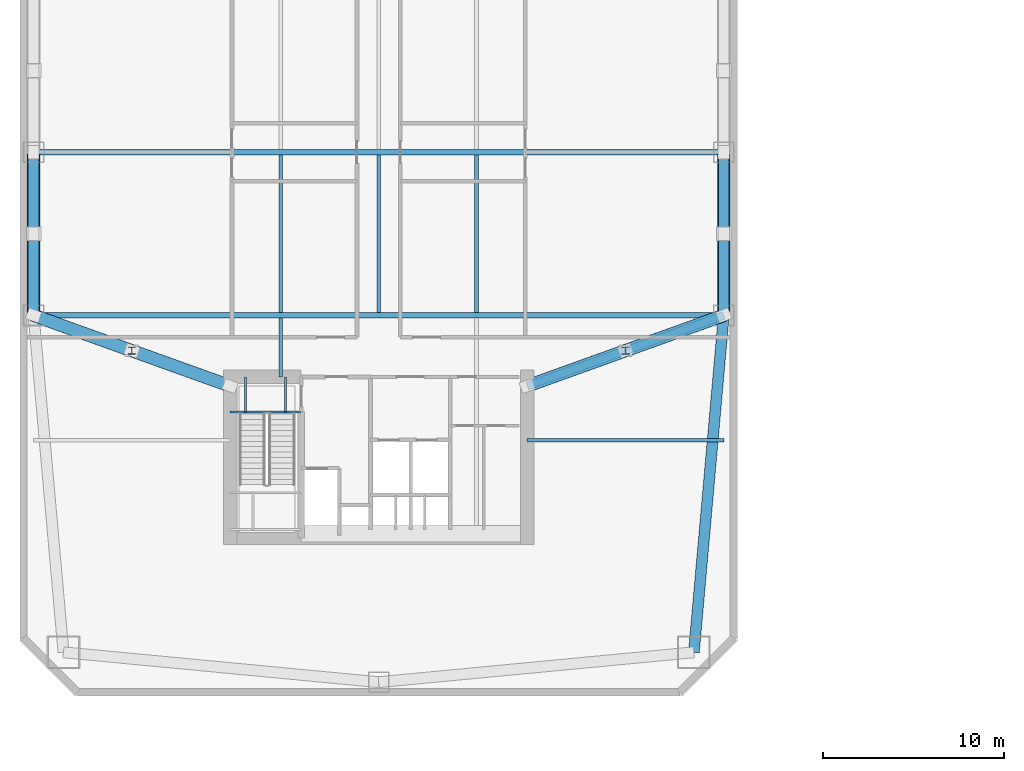
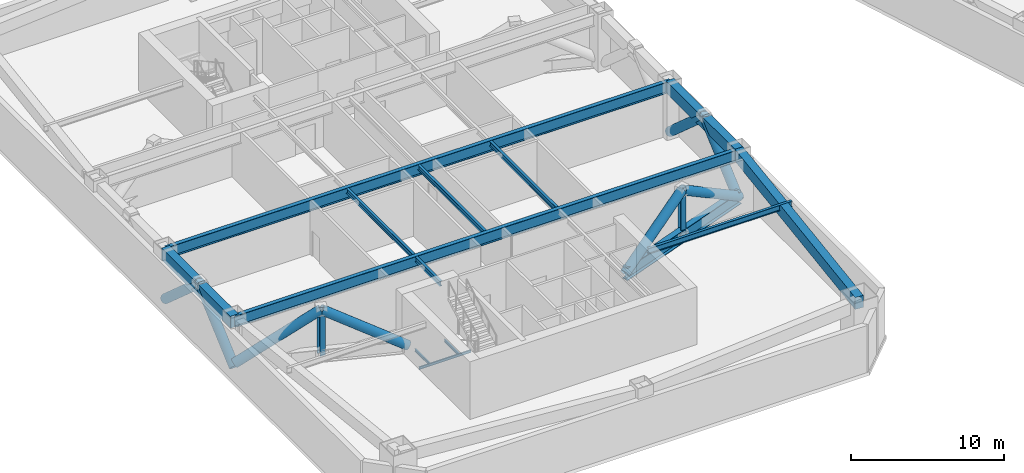
# One storey, part 2 of 16: 14 beams, 10 members.
"""IFC4 building model written with IfcOpenShell, lengths in metres."""

from ifc_helpers import new_model, si_unit, direction, frame, origin, origin_2d, place, context, subcontext, project, spatial, rectangle, hollow_circle, i_section, extrude, material, material_profile, profile_set, type_object, element, save


model = new_model("IFC4")

# Units and contexts
model_context = context("Model", 3, precision=1e-05, world=origin(), true_north=direction((0.0, 1.0)))
body_context = subcontext(model_context, "Body", "Model", "MODEL_VIEW")
ifc_project = project(units=[si_unit("LENGTHUNIT", "METRE"), si_unit("AREAUNIT", "SQUARE_METRE"), si_unit("VOLUMEUNIT", "CUBIC_METRE"), si_unit("PLANEANGLEUNIT", "RADIAN"), si_unit("MASSUNIT", "GRAM", prefix="KILO")], contexts=[model_context])

# Site, building, storey
site_placement = place(None, origin())
site = spatial("IfcSite", under=ifc_project, at=site_placement, CompositionType="ELEMENT")
building_placement = place(site_placement, origin())
building = spatial("IfcBuilding", under=site, at=building_placement, Name="Qiaolan Cultural Towers", CompositionType="ELEMENT")
storey_placement = place(building_placement, frame((0.0, 0.0, 46.0)))
storey = spatial("IfcBuildingStorey", under=building, at=storey_placement, Name="L10", CompositionType="ELEMENT", Elevation=46.0)

# Beams
ifc_material_1 = material(Name="Steel Q390GJB", Category="steel")
ifc_material_profile_1 = material_profile(ifc_material_1, i_section(OverallWidth=0.449951171875, OverallDepth=1.0, WebThickness=0.02392578125, FlangeThickness=0.0400390625, at=origin_2d()), Name="BH1000x450x24x40")
ifc_profile_set_1 = profile_set([ifc_material_profile_1], Name="Steel Q390GJB")
beam_type_1 = type_object("IfcBeamType", Name="BM-BH1000x450x24x40", PredefinedType="BEAM", material=ifc_profile_set_1)
beam_1_placement = place(storey_placement, frame((38.199951171875, 21.10009765625, 0.5), z_axis=(0.941056813551, 0.338248538312, 0.0), x_axis=(-0.338248538312, 0.941056813551, 0.0)))
element("IfcBeam", 1, at=beam_1_placement, inside=storey, type_object=beam_type_1, Name="L10 T1 Outrigger Bottom Chord Girder ES", PredefinedType="BEAM", context=body_context, shape_type="SweptSolid", body=[
    extrude(i_section(OverallWidth=0.449951171875, OverallDepth=1.0, WebThickness=0.02392578125, FlangeThickness=0.0400390625, at=origin_2d()), origin(), (0.0, 0.0, 1.0), 11.52978515625),
])
ifc_material_2 = material(Name="Steel Q355B", Category="steel")
ifc_material_profile_2 = material_profile(ifc_material_2, i_section(OverallWidth=0.300048828125, OverallDepth=0.89990234375, WebThickness=0.01611328125, FlangeThickness=0.028076171875, at=origin_2d()), Name="HN900x300x16x28")
ifc_profile_set_2 = profile_set([ifc_material_profile_2], Name="Steel Q355B")
beam_type_2 = type_object("IfcBeamType", Name="BM-HN900x300x16x28", PredefinedType="BEAM", material=ifc_profile_set_2)
for number, where, z_axis, x_axis, name in (
    (2, (10.949951171875, 25.0, 3.889892578125), (1.0, 0.0, 0.0), (0.0, 1.0, 0.0), "L10 T1 Primary Transverse Girder V1"),
    (3, (10.949951171875, 34.0, 3.889892578125), (1.0, 0.0, 0.0), (0.0, 1.0, 0.0), "L10 T1 Primary Transverse Girder V2"),
):
    element("IfcBeam", number, at=place(storey_placement, frame(where, z_axis=z_axis, x_axis=x_axis)), inside=storey, type_object=beam_type_2, Name=name, PredefinedType="BEAM", context=body_context, shape_type="SweptSolid", body=[
        extrude(i_section(OverallWidth=0.300048828125, OverallDepth=0.89990234375, WebThickness=0.01611328125, FlangeThickness=0.028076171875, at=origin_2d()), origin(), (0.0, 0.0, 1.0), 38.10009765625),
    ])
ifc_material_3 = material(Name="Steel Q355B", Category="steel")
ifc_material_profile_3 = material_profile(ifc_material_3, i_section(OverallWidth=0.199951171875, OverallDepth=0.39990234375, WebThickness=0.008056640625, FlangeThickness=0.012939453125, at=origin_2d()), Name="HN400x200x8x13")
ifc_profile_set_3 = profile_set([ifc_material_profile_3], Name="Steel Q355B")
beam_type_3 = type_object("IfcBeamType", Name="BM-JST-HN400x200x8x13", PredefinedType="JOIST", material=ifc_profile_set_3)
beam_2_placement = place(storey_placement, frame((24.60009765625, 21.60009765625, 4.139892578125), z_axis=(0.0, 1.0, 0.0), x_axis=(-1.0, 0.0, 0.0)))
element("IfcBeam", 4, at=beam_2_placement, inside=storey, type_object=beam_type_3, Name="L10 T1 Secondary Floor Joist U1-1", PredefinedType="JOIST", context=body_context, shape_type="SweptSolid", body=[
    extrude(i_section(OverallWidth=0.199951171875, OverallDepth=0.39990234375, WebThickness=0.008056640625, FlangeThickness=0.012939453125, at=origin_2d()), origin(), (0.0, 0.0, 1.0), 3.25),
])
for number, where, z_axis, x_axis, name in (
    (5, (24.60009765625, 25.14990234375, 4.139892578125), (0.0, 1.0, 0.0), (-1.0, 0.0, 0.0), "L10 T1 Secondary Floor Joist U1-2"),
    (6, (30.0, 25.14990234375, 4.139892578125), (0.0, 1.0, 0.0), (-1.0, 0.0, 0.0), "L10 T1 Secondary Floor Joist U2-2"),
    (7, (35.39990234375, 25.14990234375, 4.139892578125), (0.0, 1.0, 0.0), (-1.0, 0.0, 0.0), "L10 T1 Secondary Floor Joist U3-2"),
):
    element("IfcBeam", number, at=place(storey_placement, frame(where, z_axis=z_axis, x_axis=x_axis)), inside=storey, type_object=beam_type_3, Name=name, PredefinedType="JOIST", context=body_context, shape_type="SweptSolid", body=[
        extrude(i_section(OverallWidth=0.199951171875, OverallDepth=0.39990234375, WebThickness=0.008056640625, FlangeThickness=0.012939453125, at=origin_2d()), origin(), (0.0, 0.0, 1.0), 8.7001953125),
    ])
ifc_material_4 = material(Name="Steel Q355B", Category="steel")
ifc_material_profile_4 = material_profile(ifc_material_4, i_section(OverallWidth=0.199951171875, OverallDepth=0.449951171875, WebThickness=0.009033203125, FlangeThickness=0.013916015625, at=origin_2d()), Name="HN450x200x9x14")
ifc_profile_set_4 = profile_set([ifc_material_profile_4], Name="Steel Q355B")
beam_type_4 = type_object("IfcBeamType", Name="BM-LNT-HN450x200x9x14", PredefinedType="LINTEL", material=ifc_profile_set_4)
beam_3_placement = place(storey_placement, frame((38.199951171875, 18.10009765625, 4.114990234375), z_axis=(1.0, 0.0, 0.0), x_axis=(0.0, 1.0, 0.0)))
element("IfcBeam", 8, at=beam_3_placement, inside=storey, type_object=beam_type_4, Name="L10 T1 Core Flank Tie Lintel ES", PredefinedType="LINTEL", context=body_context, shape_type="SweptSolid", body=[
    extrude(i_section(OverallWidth=0.199951171875, OverallDepth=0.449951171875, WebThickness=0.009033203125, FlangeThickness=0.013916015625, at=origin_2d()), origin(), (0.0, 0.0, 1.0), 10.85009765625),
])
ifc_material_5 = material(Name="Concrete C50", Category="concrete")
ifc_material_profile_5 = material_profile(ifc_material_5, rectangle(XDim=0.60009765625, YDim=0.949951171875, at=origin_2d()), Name="RC600x950")
ifc_profile_set_5 = profile_set([ifc_material_profile_5], Name="Concrete C50")
beam_type_5 = type_object("IfcBeamType", Name="BM-SPD-RC600x950", PredefinedType="SPANDREL", material=ifc_profile_set_5)
beam_4_placement = place(storey_placement, frame((47.39990234375, 6.39990234375, 3.864990234375), z_axis=(0.08837000091, 0.996087718496, 0.0), x_axis=(-0.996087718496, 0.08837000091, 0.0)))
element("IfcBeam", 9, at=beam_4_placement, inside=storey, type_object=beam_type_5, Name="L10 T1 Perimeter Spandrel Beam 3", PredefinedType="SPANDREL", context=body_context, shape_type="SweptSolid", body=[
    extrude(rectangle(XDim=0.60009765625, YDim=0.949951171875, at=origin_2d()), origin(), (0.0, 0.0, 1.0), 18.673095703125),
])
for number, where, z_axis, x_axis, name in (
    (10, (49.050048828125, 25.0, 3.864990234375), (0.0, 1.0, 0.0), (-1.0, 0.0, 0.0), "L10 T1 Perimeter Spandrel Beam 4"),
    (11, (10.949951171875, 34.0, 3.864990234375), (0.0, -1.0, 0.0), (1.0, 0.0, 0.0), "L10 T1 Perimeter Spandrel Beam 11"),
):
    element("IfcBeam", number, at=place(storey_placement, frame(where, z_axis=z_axis, x_axis=x_axis)), inside=storey, type_object=beam_type_5, Name=name, PredefinedType="SPANDREL", context=body_context, shape_type="SweptSolid", body=[
        extrude(rectangle(XDim=0.60009765625, YDim=0.949951171875, at=origin_2d()), origin(), (0.0, 0.0, 1.0), 9.0),
    ])
ifc_material_6 = material(Name="Steel Q355B", Category="steel")
ifc_material_profile_6 = material_profile(ifc_material_6, i_section(OverallWidth=0.10009765625, OverallDepth=0.199951171875, WebThickness=0.005615234375, FlangeThickness=0.008056640625, at=origin_2d()), Name="HN200x100x5.5x8")
ifc_profile_set_6 = profile_set([ifc_material_profile_6], Name="Steel Q355B")
beam_type_6 = type_object("IfcBeamType", Name="BM-STTRIM-200", PredefinedType="BEAM", material=ifc_profile_set_6)
beam_5_placement = place(storey_placement, frame((21.800048828125, 19.659912109375, -0.4599609375), z_axis=(1.0, 0.0, 0.0), x_axis=(0.0, 1.0, 0.0)))
element("IfcBeam", 12, at=beam_5_placement, inside=storey, type_object=beam_type_6, Name="L10 ST-W1 Floor Landing Header Beam", PredefinedType="BEAM", context=body_context, shape_type="SweptSolid", body=[
    extrude(i_section(OverallWidth=0.10009765625, OverallDepth=0.199951171875, WebThickness=0.005615234375, FlangeThickness=0.008056640625, at=origin_2d()), origin(), (0.0, 0.0, 1.0), 3.919921875),
])
for number, where, z_axis, x_axis, name in (
    (13, (22.64990234375, 21.60009765625, -0.4599609375), (0.0, -1.0, 0.0), (1.0, 0.0, 0.0), "L10 ST-W1 Floor Landing Stringer 1"),
    (14, (24.85009765625, 21.60009765625, -0.4599609375), (0.0, -1.0, 0.0), (1.0, 0.0, 0.0), "L10 ST-W1 Floor Landing Stringer 2"),
):
    element("IfcBeam", number, at=place(storey_placement, frame(where, z_axis=z_axis, x_axis=x_axis)), inside=storey, type_object=beam_type_6, Name=name, PredefinedType="BEAM", context=body_context, shape_type="SweptSolid", body=[
        extrude(i_section(OverallWidth=0.10009765625, OverallDepth=0.199951171875, WebThickness=0.005615234375, FlangeThickness=0.008056640625, at=origin_2d()), origin(), (0.0, 0.0, 1.0), 1.940185546875),
    ])

# Members
ifc_material_7 = material(Name="Steel Q355B", Category="steel")
ifc_material_profile_7 = material_profile(ifc_material_7, hollow_circle(Radius=0.35009765625, WallThickness=0.034912109375, at=origin_2d()), Name="CHS700x35")
ifc_profile_set_7 = profile_set([ifc_material_profile_7], Name="Steel Q355B")
member_type_1 = type_object("IfcMemberType", Name="MBR-BRC-CHS700x35", PredefinedType="BRACE", material=ifc_profile_set_7)
for number, where, z_axis, x_axis, name in (
    (15, (21.800048828125, 21.10009765625, 0.5), (-0.799441770104, 0.287347167896, 0.527564651312), (-0.338248538312, -0.941056813551, 0.0), "L10 T1 Outrigger Truss Diagonal WS-1"),
    (16, (16.375, 23.050048828125, 4.080078125), (-0.799441770104, 0.287347167896, -0.527564651312), (-0.338248538312, -0.941056813551, 0.0), "L10 T1 Outrigger Truss Diagonal WS-2"),
    (17, (38.199951171875, 21.10009765625, 0.5), (0.799441770104, 0.287347167896, 0.527564651312), (-0.338248538312, 0.941056813551, 0.0), "L10 T1 Outrigger Truss Diagonal ES-1"),
    (18, (43.625, 23.050048828125, 4.080078125), (0.799441770104, 0.287347167896, -0.527564651312), (-0.338248538312, 0.941056813551, 0.0), "L10 T1 Outrigger Truss Diagonal ES-2"),
):
    element("IfcMember", number, at=place(storey_placement, frame(where, z_axis=z_axis, x_axis=x_axis)), inside=storey, type_object=member_type_1, Name=name, PredefinedType="BRACE", context=body_context, shape_type="SweptSolid", body=[
        extrude(hollow_circle(Radius=0.35009765625, WallThickness=0.034912109375, at=origin_2d()), origin(), (0.0, 0.0, 1.0), 6.7861328125),
    ])
for number, where, z_axis, x_axis, name in (
    (19, (10.949951171875, 25.0, 0.199951171875), (0.0, 0.749061716489, 0.662500222559), (-1.0, 0.0, 0.0), "L10 T1 Perimeter Belt Truss W1-A"),
    (20, (10.949951171875, 29.5, 4.179931640625), (0.0, 0.749061716489, -0.662500222559), (-1.0, 0.0, 0.0), "L10 T1 Perimeter Belt Truss W1-B"),
    (21, (49.050048828125, 25.0, 0.199951171875), (0.0, 0.749061716489, 0.662500222559), (-1.0, 0.0, 0.0), "L10 T1 Perimeter Belt Truss E1-A"),
    (22, (49.050048828125, 29.5, 4.179931640625), (0.0, 0.749061716489, -0.662500222559), (-1.0, 0.0, 0.0), "L10 T1 Perimeter Belt Truss E1-B"),
):
    element("IfcMember", number, at=place(storey_placement, frame(where, z_axis=z_axis, x_axis=x_axis)), inside=storey, type_object=member_type_1, Name=name, PredefinedType="BRACE", context=body_context, shape_type="SweptSolid", body=[
        extrude(hollow_circle(Radius=0.35009765625, WallThickness=0.034912109375, at=origin_2d()), origin(), (0.0, 0.0, 1.0), 6.007568359375),
    ])
ifc_material_8 = material(Name="Steel Q355B", Category="steel")
ifc_material_profile_8 = material_profile(ifc_material_8, i_section(OverallWidth=0.39990234375, OverallDepth=0.39990234375, WebThickness=0.012939453125, FlangeThickness=0.02099609375, at=origin_2d()), Name="HW400x400x13x21")
ifc_profile_set_8 = profile_set([ifc_material_profile_8], Name="Steel Q355B")
member_type_2 = type_object("IfcMemberType", Name="MBR-POST-HW400x400x13x21", PredefinedType="STUD", material=ifc_profile_set_8)
for number, where, z_axis, x_axis, name in (
    (23, (16.375, 23.050048828125, 0.5), (0.0, 0.0, 1.0), (1.0, 0.0, 0.0), "L10 T1 Outrigger King Web WS"),
    (24, (43.625, 23.050048828125, 0.5), (0.0, 0.0, 1.0), (1.0, 0.0, 0.0), "L10 T1 Outrigger King Web ES"),
):
    element("IfcMember", number, at=place(storey_placement, frame(where, z_axis=z_axis, x_axis=x_axis)), inside=storey, type_object=member_type_2, Name=name, PredefinedType="STUD", context=body_context, shape_type="SweptSolid", body=[
        extrude(i_section(OverallWidth=0.39990234375, OverallDepth=0.39990234375, WebThickness=0.012939453125, FlangeThickness=0.02099609375, at=origin_2d()), origin(), (0.0, 0.0, 1.0), 3.580078125),
    ])

save(model, "model.ifc")
